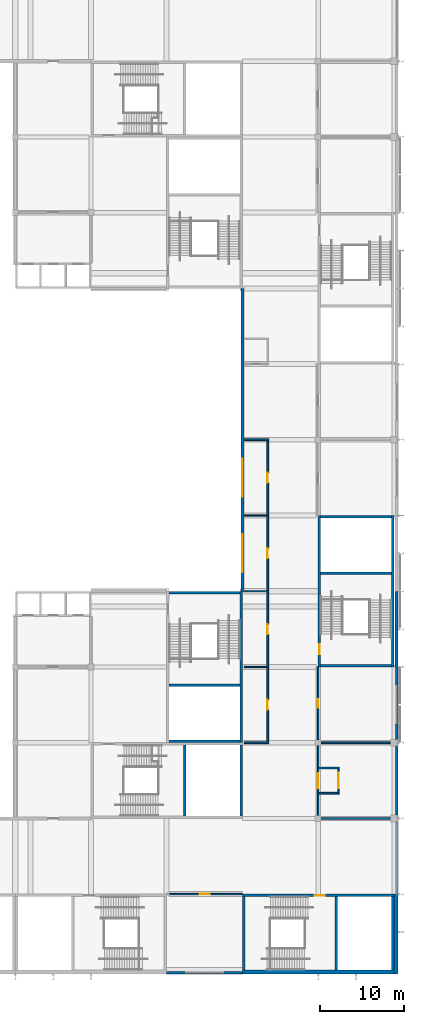
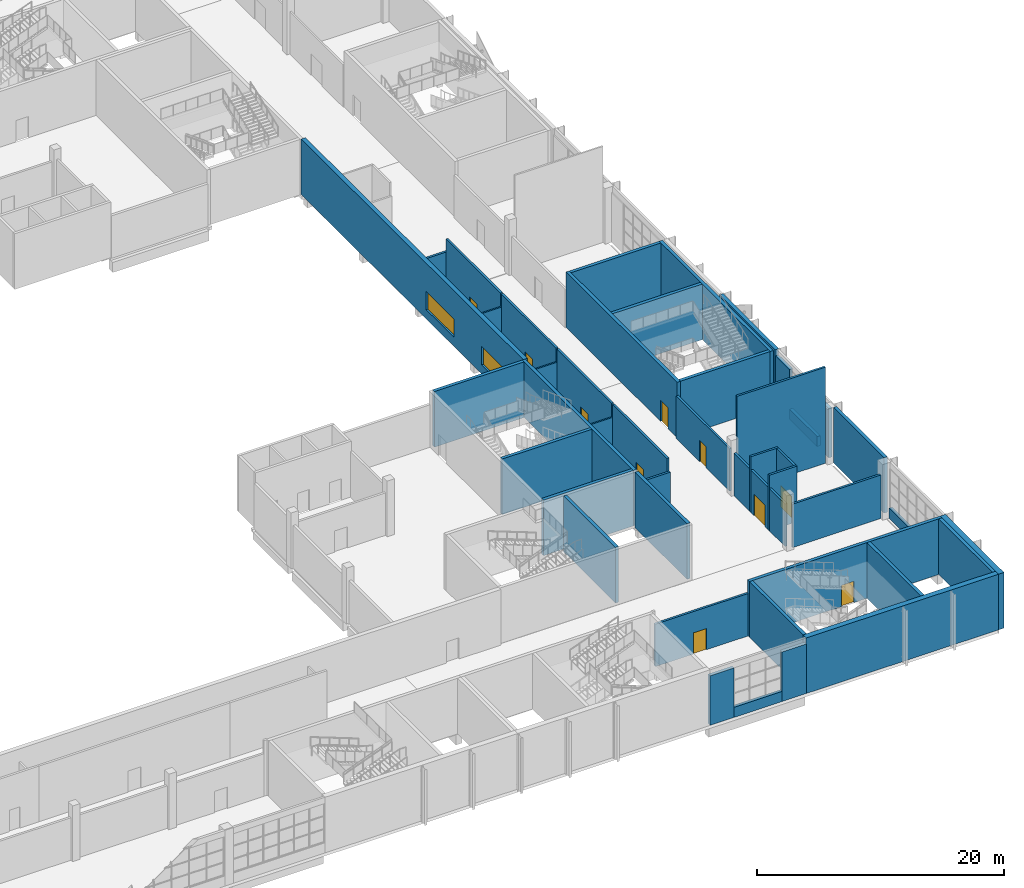
# One storey, part 42 of 84: 46 walls, 10 doors, 2 windows, 12 openings.
"""IFC4 building model written with IfcOpenShell, lengths in metres."""

from ifc_helpers import new_model, si_unit, direction, frame, frame_2d, origin, place, context, subcontext, project, spatial, rectangle, extrude, material, layer, layer_set, type_object, element, fill, save


model = new_model("IFC4")

# Units and contexts
model_context = context("Model", 3, precision=1e-05, world=origin(), true_north=direction((0.0, 1.0)))
body_context = subcontext(model_context, "Body", "Model", "MODEL_VIEW")
ifc_project = project(units=[si_unit("LENGTHUNIT", "METRE"), si_unit("AREAUNIT", "SQUARE_METRE"), si_unit("VOLUMEUNIT", "CUBIC_METRE"), si_unit("PLANEANGLEUNIT", "RADIAN"), si_unit("MASSUNIT", "GRAM", prefix="KILO")], contexts=[model_context])

# Site, building, storey
site_placement = place(None, origin())
site = spatial("IfcSite", under=ifc_project, at=site_placement, CompositionType="ELEMENT")
building_placement = place(site_placement, origin())
building = spatial("IfcBuilding", under=site, at=building_placement, Name="Silverbay Arena", CompositionType="ELEMENT")
storey_placement = place(building_placement, frame((0.0, 0.0, 28.0)))
storey = spatial("IfcBuildingStorey", under=building, at=storey_placement, Name="L04", CompositionType="ELEMENT", Elevation=28.0)

# Walls
ifc_material_1 = material(Name="Anodised aluminium cladding on insulated backing", Category="aluminium")
ifc_layer_1 = layer(ifc_material_1, 0.300048828125)
ifc_layer_set_1 = layer_set([ifc_layer_1], Name="Anodised aluminium cladding on insulated backing")
wall_type_1 = type_object("IfcWallType", Name="Aluminium clad wall 300", PredefinedType="SOLIDWALL", material=ifc_layer_set_1)
for number, where, z_axis, x_axis, name in (
    (1, (180.0, 17.64990234375, 0.0), (0.0, 0.0, 1.0), (1.0, 0.0, 0.0), "South external wall L04 bay 15 pier"),
    (2, (186.75, 17.64990234375, 0.0), (0.0, 0.0, 1.0), (1.0, 0.0, 0.0), "South external wall L04 bay 15 pier"),
):
    element("IfcWall", number, at=place(storey_placement, frame(where, z_axis=z_axis, x_axis=x_axis)), inside=storey, type_object=wall_type_1, Name=name, PredefinedType="SOLIDWALL", context=body_context, shape_type="SweptSolid", body=[
        extrude(rectangle(XDim=2.25, YDim=0.300048828125, at=frame_2d((1.125, 0.0))), origin(), (0.0, 0.0, 1.0), 4.89990234375),
    ])
wall_1_placement = place(storey_placement, frame((182.25, 17.64990234375, 0.0), z_axis=(0.0, 0.0, 1.0), x_axis=(1.0, 0.0, 0.0)))
element("IfcWall", 3, at=wall_1_placement, inside=storey, type_object=wall_type_1, Name="South external wall L04 bay 15 sill wall", PredefinedType="SOLIDWALL", context=body_context, shape_type="SweptSolid", body=[
    extrude(rectangle(XDim=4.5, YDim=0.300048828125, at=frame_2d((2.25, 0.0))), origin(), (0.0, 0.0, 1.0), 1.0),
])
wall_2_placement = place(storey_placement, frame((207.35009765625, 27.0, 0.0), z_axis=(0.0, 0.0, 1.0), x_axis=(0.0, 1.0, 0.0)))
element("IfcWall", 4, at=wall_2_placement, inside=storey, type_object=wall_type_1, Name="East sill wall L04 bay 2", PredefinedType="SOLIDWALL", context=body_context, shape_type="SweptSolid", body=[
    extrude(rectangle(XDim=8.60009765625, YDim=0.300048828125, at=frame_2d((4.300048828125, 0.0))), origin(), (0.0, 0.0, 1.0), 1.0),
])
wall_3_placement = place(storey_placement, frame((207.35009765625, 45.39990234375, 0.0), z_axis=(0.0, 0.0, 1.0), x_axis=(0.0, 1.0, 0.0)))
element("IfcWall", 5, at=wall_3_placement, inside=storey, type_object=wall_type_1, Name="East external wall L04 bay 4 pier", PredefinedType="SOLIDWALL", context=body_context, shape_type="SweptSolid", body=[
    extrude(rectangle(XDim=1.85009765625, YDim=0.300048828125, at=frame_2d((0.925048828125, 0.0))), origin(), (0.0, 0.0, 1.0), 4.89990234375),
])
wall_4_placement = place(storey_placement, frame((207.35009765625, 51.75, 0.0), z_axis=(0.0, 0.0, 1.0), x_axis=(0.0, 1.0, 0.0)))
element("IfcWall", 6, at=wall_4_placement, inside=storey, type_object=wall_type_1, Name="East external wall L04 bay 4 pier", PredefinedType="SOLIDWALL", context=body_context, shape_type="SweptSolid", body=[
    extrude(rectangle(XDim=2.25, YDim=0.300048828125, at=frame_2d((1.125, 0.0))), origin(), (0.0, 0.0, 1.0), 4.89990234375),
])
wall_5_placement = place(storey_placement, frame((207.35009765625, 47.25, 0.0), z_axis=(0.0, 0.0, 1.0), x_axis=(0.0, 1.0, 0.0)))
element("IfcWall", 7, at=wall_5_placement, inside=storey, type_object=wall_type_1, Name="East external wall L04 bay 4 sill wall", PredefinedType="SOLIDWALL", context=body_context, shape_type="SweptSolid", body=[
    extrude(rectangle(XDim=4.5, YDim=0.300048828125, at=frame_2d((2.25, 0.0))), origin(), (0.0, 0.0, 1.0), 1.0),
])
ifc_material_2 = material(Name="Anodised aluminium cladding on insulated backing", Category="aluminium")
ifc_layer_2 = layer(ifc_material_2, 0.300048828125)
ifc_layer_set_2 = layer_set([ifc_layer_2], Name="Anodised aluminium cladding on insulated backing")
wall_type_2 = type_object("IfcWallType", Name="Aluminium clad wall 300 EI 120", PredefinedType="SOLIDWALL", material=ifc_layer_set_2)
wall_6_placement = place(storey_placement, frame((207.35009765625, 36.39990234375, 0.0), z_axis=(0.0, 0.0, 1.0), x_axis=(0.0, 1.0, 0.0)))
element("IfcWall", 8, at=wall_6_placement, inside=storey, type_object=wall_type_2, Name="East external wall L04 bay 3", PredefinedType="SOLIDWALL", context=body_context, shape_type="SweptSolid", body=[
    extrude(rectangle(XDim=8.2001953125, YDim=0.300048828125, at=frame_2d((4.10009765625, 0.0))), origin(), (0.0, 0.0, 1.0), 5.5),
])

# Wall, opening, door
ifc_material_3 = material(Name="Concrete Grade C45", Category="concrete")
ifc_layer_3 = layer(ifc_material_3, 0.300048828125)
ifc_layer_set_3 = layer_set([ifc_layer_3], Name="Concrete Grade C45")
wall_type_3 = type_object("IfcWallType", Name="Core wall RC 300 EI 120", PredefinedType="SHEAR", material=ifc_layer_set_3)
wall_7_placement = place(storey_placement, frame((189.0, 26.85009765625, 0.0), z_axis=(0.0, 0.0, 1.0), x_axis=(1.0, 0.0, 0.0)))
wall_7 = element("IfcWall", 9, at=wall_7_placement, inside=storey, type_object=wall_type_3, Name="Core wall ST-S6 L04 door side", PredefinedType="SHEAR", context=body_context, shape_type="SweptSolid", body=[
    extrude(rectangle(XDim=18.0, YDim=0.300048828125, at=frame_2d((9.0, 0.0))), origin(), (0.0, 0.0, 1.0), 5.5),
])
opening_1_placement = place(wall_7_placement, frame((8.60009765625, 0.0, 0.0)))
opening_1 = element("IfcOpeningElement", 10, at=opening_1_placement, cuts=wall_7, Name="Opening L04-064", PredefinedType="OPENING", context=body_context, shape_type="SweptSolid", body=[
    extrude(rectangle(XDim=1.199951171875, YDim=2.10009765625, at=frame_2d((0.60009765625, 1.050048828125))), frame((0.0, 0.16015625, 0.0), z_axis=(0.0, -1.0, 0.0), x_axis=(1.0, 0.0, 0.0)), (0.0, 0.0, 1.0), 0.320068359375),
])
ifc_material_4 = material(Name="Steel fire door", Category="steel")
door_type_1 = type_object("IfcDoorType", Name="Stair door 1200 x 2100 fire door", OperationType="SINGLE_SWING_LEFT", PredefinedType="DOOR", material=ifc_material_4)
door_1_placement = place(opening_1_placement, frame((1.199951171875, 0.0, 0.0), z_axis=(0.0, 0.0, 1.0), x_axis=(-1.0, 0.0, 0.0)))
door_1 = element("IfcDoor", 11, at=door_1_placement, inside=storey, type_object=door_type_1, Name="Stair door ST-S6 L04", OperationType="SINGLE_SWING_LEFT", OverallHeight=2.10009765625, OverallWidth=1.199951171875, PredefinedType="DOOR", context=body_context, shape_type="SweptSolid", body=[
    extrude(rectangle(XDim=1.199951171875, YDim=2.10009765625, at=frame_2d((0.60009765625, 1.050048828125))), frame((0.0, 0.02490234375, 0.0), z_axis=(0.0, -1.0, 0.0), x_axis=(1.0, 0.0, 0.0)), (0.0, 0.0, 1.0), 0.050048828125),
])
fill(opening_1, door_1)

# Walls
for number, where, z_axis, x_axis, name in (
    (12, (189.14990234375, 26.699951171875, 0.0), (0.0, 0.0, 1.0), (0.0, -1.0, 0.0), "Core wall ST-S6 L04 end 1"),
    (13, (206.85009765625, 26.699951171875, 0.0), (0.0, 0.0, 1.0), (0.0, -1.0, 0.0), "Core wall ST-S6 L04 end 2"),
    (14, (200.14990234375, 26.699951171875, 0.0), (0.0, 0.0, 1.0), (0.0, -1.0, 0.0), "Core wall ST-S6 L04 stair enclosure"),
):
    element("IfcWall", number, at=place(storey_placement, frame(where, z_axis=z_axis, x_axis=x_axis)), inside=storey, type_object=wall_type_3, Name=name, PredefinedType="SHEAR", context=body_context, shape_type="SweptSolid", body=[
        extrude(rectangle(XDim=8.699951171875, YDim=0.300048828125, at=frame_2d((4.35009765625, 0.0))), origin(), (0.0, 0.0, 1.0), 5.5),
    ])

# Wall, opening, door
wall_8_placement = place(storey_placement, frame((198.14990234375, 54.0, 0.0), z_axis=(0.0, 0.0, 1.0), x_axis=(0.0, 1.0, 0.0)))
wall_8 = element("IfcWall", 15, at=wall_8_placement, inside=storey, type_object=wall_type_3, Name="Core wall ST-E1 L04 door side", PredefinedType="SHEAR", context=body_context, shape_type="SweptSolid", body=[
    extrude(rectangle(XDim=18.0, YDim=0.300048828125, at=frame_2d((9.0, 0.0))), origin(), (0.0, 0.0, 1.0), 5.5),
])
opening_2_placement = place(wall_8_placement, frame((1.5, 0.0, 0.0)))
opening_2 = element("IfcOpeningElement", 16, at=opening_2_placement, cuts=wall_8, Name="Opening L04-069", PredefinedType="OPENING", context=body_context, shape_type="SweptSolid", body=[
    extrude(rectangle(XDim=1.199951171875, YDim=2.10009765625, at=frame_2d((0.60009765625, 1.050048828125))), frame((0.0, 0.16015625, 0.0), z_axis=(0.0, -1.0, 0.0), x_axis=(1.0, 0.0, 0.0)), (0.0, 0.0, 1.0), 0.320068359375),
])
door_2_placement = place(opening_2_placement, frame((1.199951171875, 0.0, 0.0), z_axis=(0.0, 0.0, 1.0), x_axis=(-1.0, 0.0, 0.0)))
door_2 = element("IfcDoor", 17, at=door_2_placement, inside=storey, type_object=door_type_1, Name="Stair door ST-E1 L04", OperationType="SINGLE_SWING_RIGHT", OverallHeight=2.10009765625, OverallWidth=1.199951171875, PredefinedType="DOOR", context=body_context, shape_type="SweptSolid", body=[
    extrude(rectangle(XDim=1.199951171875, YDim=2.10009765625, at=frame_2d((0.60009765625, 1.050048828125))), frame((0.0, 0.02490234375, 0.0), z_axis=(0.0, -1.0, 0.0), x_axis=(1.0, 0.0, 0.0)), (0.0, 0.0, 1.0), 0.050048828125),
])
fill(opening_2, door_2)

# Walls
wall_9_placement = place(storey_placement, frame((206.85009765625, 54.0, 0.0), z_axis=(0.0, 0.0, 1.0), x_axis=(0.0, 1.0, 0.0)))
element("IfcWall", 18, at=wall_9_placement, inside=storey, type_object=wall_type_3, Name="Core wall ST-E1 L04 far side", PredefinedType="SHEAR", context=body_context, shape_type="SweptSolid", body=[
    extrude(rectangle(XDim=18.0, YDim=0.300048828125, at=frame_2d((9.0, 0.0))), origin(), (0.0, 0.0, 1.0), 5.5),
])
for number, where, z_axis, x_axis, name in (
    (19, (198.300048828125, 54.14990234375, 0.0), (0.0, 0.0, 1.0), (1.0, 0.0, 0.0), "Core wall ST-E1 L04 end 1"),
    (20, (198.300048828125, 71.85009765625, 0.0), (0.0, 0.0, 1.0), (1.0, 0.0, 0.0), "Core wall ST-E1 L04 end 2"),
    (21, (198.300048828125, 65.14990234375, 0.0), (0.0, 0.0, 1.0), (1.0, 0.0, 0.0), "Core wall ST-E1 L04 stair enclosure"),
    (22, (188.85009765625, 44.699951171875, 0.0), (0.0, 0.0, 1.0), (0.0, -1.0, 0.0), "Core wall ST-SE1 L04 end 2"),
    (23, (182.14990234375, 44.699951171875, 0.0), (0.0, 0.0, 1.0), (0.0, -1.0, 0.0), "Core wall ST-SE1 L04 stair enclosure"),
):
    element("IfcWall", number, at=place(storey_placement, frame(where, z_axis=z_axis, x_axis=x_axis)), inside=storey, type_object=wall_type_3, Name=name, PredefinedType="SHEAR", context=body_context, shape_type="SweptSolid", body=[
        extrude(rectangle(XDim=8.39990234375, YDim=0.300048828125, at=frame_2d((4.199951171875, 0.0))), origin(), (0.0, 0.0, 1.0), 5.5),
    ])
wall_10_placement = place(storey_placement, frame((188.85009765625, 63.0, 0.0), z_axis=(0.0, 0.0, 1.0), x_axis=(0.0, -1.0, 0.0)))
element("IfcWall", 24, at=wall_10_placement, inside=storey, type_object=wall_type_3, Name="Core wall ST-SE2 L04 far side", PredefinedType="SHEAR", context=body_context, shape_type="SweptSolid", body=[
    extrude(rectangle(XDim=18.0, YDim=0.300048828125, at=frame_2d((9.0, 0.0))), origin(), (0.0, 0.0, 1.0), 5.5),
])
for number, where, z_axis, x_axis, name in (
    (25, (180.300048828125, 62.85009765625, 0.0), (0.0, 0.0, 1.0), (1.0, 0.0, 0.0), "Core wall ST-SE2 L04 end 1"),
    (26, (180.300048828125, 45.14990234375, 0.0), (0.0, 0.0, 1.0), (1.0, 0.0, 0.0), "Core wall ST-SE2 L04 end 2"),
    (27, (180.300048828125, 51.85009765625, 0.0), (0.0, 0.0, 1.0), (1.0, 0.0, 0.0), "Core wall ST-SE2 L04 stair enclosure"),
):
    element("IfcWall", number, at=place(storey_placement, frame(where, z_axis=z_axis, x_axis=x_axis)), inside=storey, type_object=wall_type_3, Name=name, PredefinedType="SHEAR", context=body_context, shape_type="SweptSolid", body=[
        extrude(rectangle(XDim=8.39990234375, YDim=0.300048828125, at=frame_2d((4.199951171875, 0.0))), origin(), (0.0, 0.0, 1.0), 5.5),
    ])
ifc_material_5 = material(Name="Concrete Grade C45", Category="concrete")
ifc_layer_4 = layer(ifc_material_5, 0.5)
ifc_layer_set_4 = layer_set([ifc_layer_4], Name="Concrete Grade C45")
wall_type_4 = type_object("IfcWallType", Name="Core wall RC 500 external EI 120", PredefinedType="SHEAR", material=ifc_layer_set_4)
wall_11_placement = place(storey_placement, frame((189.0, 17.75, 0.0), z_axis=(0.0, 0.0, 1.0), x_axis=(1.0, 0.0, 0.0)))
element("IfcWall", 28, at=wall_11_placement, inside=storey, type_object=wall_type_4, Name="Core wall ST-S6 L04 facade side", PredefinedType="SHEAR", context=body_context, shape_type="SweptSolid", body=[
    extrude(rectangle(XDim=18.0, YDim=0.5, at=frame_2d((9.0, 0.0))), origin(), (0.0, 0.0, 1.0), 5.5),
])
ifc_material_6 = material(Name="Gypsum board partition on steel studs", Category="steel")
ifc_layer_5 = layer(ifc_material_6, 0.14990234375)
ifc_layer_set_5 = layer_set([ifc_layer_5], Name="Gypsum board partition on steel studs")
wall_type_5 = type_object("IfcWallType", Name="Partition 150 EI 60", PredefinedType="PARTITIONING", material=ifc_layer_set_5)
for number, where, z_axis, x_axis, name in (
    (29, (189.199951171875, 54.0, 0.0), (0.0, 0.0, 1.0), (1.0, 0.0, 0.0), "Partition wall"),
    (30, (189.199951171875, 63.0, 0.0), (0.0, 0.0, 1.0), (1.0, 0.0, 0.0), "Partition wall"),
    (31, (189.199951171875, 72.0, 0.0), (0.0, 0.0, 1.0), (1.0, 0.0, 0.0), "Partition wall"),
):
    element("IfcWall", number, at=place(storey_placement, frame(where, z_axis=z_axis, x_axis=x_axis)), inside=storey, type_object=wall_type_5, Name=name, PredefinedType="PARTITIONING", context=body_context, shape_type="SweptSolid", body=[
        extrude(rectangle(XDim=2.900146484375, YDim=0.14990234375, at=frame_2d((1.4501953125, 0.0))), origin(), (0.0, 0.0, 1.0), 4.199951171875),
    ])

# Wall, opening, door
ifc_material_7 = material(Name="Masonry blockwork partition", Category="masonry")
ifc_layer_6 = layer(ifc_material_7, 0.199951171875)
ifc_layer_set_6 = layer_set([ifc_layer_6], Name="Masonry blockwork partition")
wall_type_6 = type_object("IfcWallType", Name="Partition 200 EI 120", PredefinedType="PARTITIONING", material=ifc_layer_set_6)
wall_12_placement = place(storey_placement, frame((180.300048828125, 27.0, 0.0), z_axis=(0.0, 0.0, 1.0), x_axis=(1.0, 0.0, 0.0)))
wall_12 = element("IfcWall", 32, at=wall_12_placement, inside=storey, type_object=wall_type_6, Name="Partition wall", PredefinedType="PARTITIONING", context=body_context, shape_type="SweptSolid", body=[
    extrude(rectangle(XDim=8.699951171875, YDim=0.199951171875, at=frame_2d((4.35009765625, 0.0))), origin(), (0.0, 0.0, 1.0), 4.199951171875),
])
opening_3_placement = place(wall_12_placement, frame((3.60009765625, 0.0, 0.0)))
opening_3 = element("IfcOpeningElement", 33, at=opening_3_placement, cuts=wall_12, Name="Opening L04-003", PredefinedType="OPENING", context=body_context, shape_type="SweptSolid", body=[
    extrude(rectangle(XDim=1.199951171875, YDim=2.10009765625, at=frame_2d((0.60009765625, 1.050048828125))), frame((0.0, 0.10986328125, 0.0), z_axis=(0.0, -1.0, 0.0), x_axis=(1.0, 0.0, 0.0)), (0.0, 0.0, 1.0), 0.219970703125),
])
ifc_material_8 = material(Name="Steel faced timber", Category="steel")
door_type_2 = type_object("IfcDoorType", Name="Single leaf door 1200 x 2100 FD120", OperationType="SINGLE_SWING_LEFT", PredefinedType="DOOR", material=ifc_material_8)
door_3_placement = place(opening_3_placement, frame((1.199951171875, 0.0, 0.0), z_axis=(0.0, 0.0, 1.0), x_axis=(-1.0, 0.0, 0.0)))
door_3 = element("IfcDoor", 34, at=door_3_placement, inside=storey, type_object=door_type_2, Name="Door L04-003", OperationType="SINGLE_SWING_RIGHT", OverallHeight=2.10009765625, OverallWidth=1.199951171875, PredefinedType="DOOR", context=body_context, shape_type="SweptSolid", body=[
    extrude(rectangle(XDim=1.199951171875, YDim=2.10009765625, at=frame_2d((0.60009765625, 1.050048828125))), frame((0.0, 0.02490234375, 0.0), z_axis=(0.0, -1.0, 0.0), x_axis=(1.0, 0.0, 0.0)), (0.0, 0.0, 1.0), 0.050048828125),
])
fill(opening_3, door_3)

# Walls
wall_13_placement = place(storey_placement, frame((198.35009765625, 36.0, 0.0), z_axis=(0.0, 0.0, 1.0), x_axis=(1.0, 0.0, 0.0)))
element("IfcWall", 35, at=wall_13_placement, inside=storey, type_object=wall_type_6, Name="Partition wall", PredefinedType="PARTITIONING", context=body_context, shape_type="SweptSolid", body=[
    extrude(rectangle(XDim=8.25, YDim=0.199951171875, at=frame_2d((4.125, 0.0))), origin(), (0.0, 0.0, 1.0), 4.300048828125),
])
for number, where, z_axis, x_axis, name in (
    (36, (197.89990234375, 39.0, 0.0), (0.0, 0.0, 1.0), (1.0, 0.0, 0.0), "Partition wall"),
    (37, (197.89990234375, 42.0, 0.0), (0.0, 0.0, 1.0), (1.0, 0.0, 0.0), "Partition wall"),
):
    element("IfcWall", number, at=place(storey_placement, frame(where, z_axis=z_axis, x_axis=x_axis)), inside=storey, type_object=wall_type_6, Name=name, PredefinedType="PARTITIONING", context=body_context, shape_type="SweptSolid", body=[
        extrude(rectangle(XDim=2.60009765625, YDim=0.199951171875, at=frame_2d((1.300048828125, 0.0))), origin(), (0.0, 0.0, 1.0), 5.5),
    ])
wall_14_placement = place(storey_placement, frame((189.199951171875, 45.0, 0.0), z_axis=(0.0, 0.0, 1.0), x_axis=(1.0, 0.0, 0.0)))
element("IfcWall", 38, at=wall_14_placement, inside=storey, type_object=wall_type_6, Name="Partition wall", PredefinedType="PARTITIONING", context=body_context, shape_type="SweptSolid", body=[
    extrude(rectangle(XDim=2.900146484375, YDim=0.199951171875, at=frame_2d((1.4501953125, 0.0))), origin(), (0.0, 0.0, 1.0), 4.199951171875),
])
wall_15_placement = place(storey_placement, frame((198.35009765625, 45.0, 0.0), z_axis=(0.0, 0.0, 1.0), x_axis=(1.0, 0.0, 0.0)))
element("IfcWall", 39, at=wall_15_placement, inside=storey, type_object=wall_type_6, Name="Partition wall", PredefinedType="PARTITIONING", context=body_context, shape_type="SweptSolid", body=[
    extrude(rectangle(XDim=8.25, YDim=0.199951171875, at=frame_2d((4.125, 0.0))), origin(), (0.0, 0.0, 1.0), 9.5),
])
wall_16_placement = place(storey_placement, frame((189.199951171875, 81.0, 0.0), z_axis=(0.0, 0.0, 1.0), x_axis=(1.0, 0.0, 0.0)))
element("IfcWall", 40, at=wall_16_placement, inside=storey, type_object=wall_type_6, Name="Partition wall", PredefinedType="PARTITIONING", context=body_context, shape_type="SweptSolid", body=[
    extrude(rectangle(XDim=2.900146484375, YDim=0.199951171875, at=frame_2d((1.4501953125, 0.0))), origin(), (0.0, 0.0, 1.0), 4.199951171875),
])

# Wall, opening, door
wall_17_placement = place(storey_placement, frame((192.0, 45.10009765625, 0.0), z_axis=(0.0, 0.0, 1.0), x_axis=(0.0, 1.0, 0.0)))
wall_17 = element("IfcWall", 41, at=wall_17_placement, inside=storey, type_object=wall_type_6, Name="Partition wall", PredefinedType="PARTITIONING", context=body_context, shape_type="SweptSolid", body=[
    extrude(rectangle(XDim=8.824951171875, YDim=0.199951171875, at=frame_2d((4.41259765625, 0.0))), origin(), (0.0, 0.0, 1.0), 5.5),
])
opening_4_placement = place(wall_17_placement, frame((3.81201171875, 0.0, 0.0)))
opening_4 = element("IfcOpeningElement", 42, at=opening_4_placement, cuts=wall_17, Name="Opening L04-046", PredefinedType="OPENING", context=body_context, shape_type="SweptSolid", body=[
    extrude(rectangle(XDim=1.199951171875, YDim=2.10009765625, at=frame_2d((0.60009765625, 1.050048828125))), frame((0.0, 0.10986328125, 0.0), z_axis=(0.0, -1.0, 0.0), x_axis=(1.0, 0.0, 0.0)), (0.0, 0.0, 1.0), 0.219970703125),
])
door_4_placement = place(opening_4_placement, origin())
door_4 = element("IfcDoor", 43, at=door_4_placement, inside=storey, type_object=door_type_2, Name="Door L04-046", OperationType="SINGLE_SWING_RIGHT", OverallHeight=2.10009765625, OverallWidth=1.199951171875, PredefinedType="DOOR", context=body_context, shape_type="SweptSolid", body=[
    extrude(rectangle(XDim=1.199951171875, YDim=2.10009765625, at=frame_2d((0.60009765625, 1.050048828125))), frame((0.0, 0.02490234375, 0.0), z_axis=(0.0, -1.0, 0.0), x_axis=(1.0, 0.0, 0.0)), (0.0, 0.0, 1.0), 0.050048828125),
])
fill(opening_4, door_4)

wall_18_placement = place(storey_placement, frame((192.0, 54.074951171875, 0.0), z_axis=(0.0, 0.0, 1.0), x_axis=(0.0, 1.0, 0.0)))
wall_18 = element("IfcWall", 44, at=wall_18_placement, inside=storey, type_object=wall_type_6, Name="Partition wall", PredefinedType="PARTITIONING", context=body_context, shape_type="SweptSolid", body=[
    extrude(rectangle(XDim=8.85009765625, YDim=0.199951171875, at=frame_2d((4.425048828125, 0.0))), origin(), (0.0, 0.0, 1.0), 5.5),
])
opening_5_placement = place(wall_18_placement, frame((3.824951171875, 0.0, 0.0)))
opening_5 = element("IfcOpeningElement", 45, at=opening_5_placement, cuts=wall_18, Name="Opening L04-047", PredefinedType="OPENING", context=body_context, shape_type="SweptSolid", body=[
    extrude(rectangle(XDim=1.199951171875, YDim=2.10009765625, at=frame_2d((0.60009765625, 1.050048828125))), frame((0.0, 0.10986328125, 0.0), z_axis=(0.0, -1.0, 0.0), x_axis=(1.0, 0.0, 0.0)), (0.0, 0.0, 1.0), 0.219970703125),
])
door_5_placement = place(opening_5_placement, origin())
door_5 = element("IfcDoor", 46, at=door_5_placement, inside=storey, type_object=door_type_2, Name="Door L04-047", OperationType="SINGLE_SWING_LEFT", OverallHeight=2.10009765625, OverallWidth=1.199951171875, PredefinedType="DOOR", context=body_context, shape_type="SweptSolid", body=[
    extrude(rectangle(XDim=1.199951171875, YDim=2.10009765625, at=frame_2d((0.60009765625, 1.050048828125))), frame((0.0, 0.02490234375, 0.0), z_axis=(0.0, -1.0, 0.0), x_axis=(1.0, 0.0, 0.0)), (0.0, 0.0, 1.0), 0.050048828125),
])
fill(opening_5, door_5)

wall_19_placement = place(storey_placement, frame((192.0, 63.074951171875, 0.0), z_axis=(0.0, 0.0, 1.0), x_axis=(0.0, 1.0, 0.0)))
wall_19 = element("IfcWall", 47, at=wall_19_placement, inside=storey, type_object=wall_type_6, Name="Partition wall", PredefinedType="PARTITIONING", context=body_context, shape_type="SweptSolid", body=[
    extrude(rectangle(XDim=8.85009765625, YDim=0.199951171875, at=frame_2d((4.425048828125, 0.0))), origin(), (0.0, 0.0, 1.0), 5.5),
])
opening_6_placement = place(wall_19_placement, frame((3.824951171875, 0.0, 0.0)))
opening_6 = element("IfcOpeningElement", 48, at=opening_6_placement, cuts=wall_19, Name="Opening L04-048", PredefinedType="OPENING", context=body_context, shape_type="SweptSolid", body=[
    extrude(rectangle(XDim=1.199951171875, YDim=2.10009765625, at=frame_2d((0.60009765625, 1.050048828125))), frame((0.0, 0.10986328125, 0.0), z_axis=(0.0, -1.0, 0.0), x_axis=(1.0, 0.0, 0.0)), (0.0, 0.0, 1.0), 0.219970703125),
])
door_6_placement = place(opening_6_placement, origin())
door_6 = element("IfcDoor", 49, at=door_6_placement, inside=storey, type_object=door_type_2, Name="Door L04-048", OperationType="SINGLE_SWING_RIGHT", OverallHeight=2.10009765625, OverallWidth=1.199951171875, PredefinedType="DOOR", context=body_context, shape_type="SweptSolid", body=[
    extrude(rectangle(XDim=1.199951171875, YDim=2.10009765625, at=frame_2d((0.60009765625, 1.050048828125))), frame((0.0, 0.02490234375, 0.0), z_axis=(0.0, -1.0, 0.0), x_axis=(1.0, 0.0, 0.0)), (0.0, 0.0, 1.0), 0.050048828125),
])
fill(opening_6, door_6)

wall_20_placement = place(storey_placement, frame((192.0, 72.074951171875, 0.0), z_axis=(0.0, 0.0, 1.0), x_axis=(0.0, 1.0, 0.0)))
wall_20 = element("IfcWall", 50, at=wall_20_placement, inside=storey, type_object=wall_type_6, Name="Partition wall", PredefinedType="PARTITIONING", context=body_context, shape_type="SweptSolid", body=[
    extrude(rectangle(XDim=8.824951171875, YDim=0.199951171875, at=frame_2d((4.41259765625, 0.0))), origin(), (0.0, 0.0, 1.0), 5.5),
])
opening_7_placement = place(wall_20_placement, frame((3.81298828125, 0.0, 0.0)))
opening_7 = element("IfcOpeningElement", 51, at=opening_7_placement, cuts=wall_20, Name="Opening L04-049", PredefinedType="OPENING", context=body_context, shape_type="SweptSolid", body=[
    extrude(rectangle(XDim=1.199951171875, YDim=2.10009765625, at=frame_2d((0.60009765625, 1.050048828125))), frame((0.0, 0.10986328125, 0.0), z_axis=(0.0, -1.0, 0.0), x_axis=(1.0, 0.0, 0.0)), (0.0, 0.0, 1.0), 0.219970703125),
])
door_7_placement = place(opening_7_placement, origin())
door_7 = element("IfcDoor", 52, at=door_7_placement, inside=storey, type_object=door_type_2, Name="Door L04-049", OperationType="SINGLE_SWING_LEFT", OverallHeight=2.10009765625, OverallWidth=1.199951171875, PredefinedType="DOOR", context=body_context, shape_type="SweptSolid", body=[
    extrude(rectangle(XDim=1.199951171875, YDim=2.10009765625, at=frame_2d((0.60009765625, 1.050048828125))), frame((0.0, 0.02490234375, 0.0), z_axis=(0.0, -1.0, 0.0), x_axis=(1.0, 0.0, 0.0)), (0.0, 0.0, 1.0), 0.050048828125),
])
fill(opening_7, door_7)

# Wall
wall_21_placement = place(storey_placement, frame((198.0, 36.35009765625, 0.0), z_axis=(0.0, 0.0, 1.0), x_axis=(0.0, 1.0, 0.0)))
element("IfcWall", 53, at=wall_21_placement, inside=storey, type_object=wall_type_6, Name="Partition wall", PredefinedType="PARTITIONING", context=body_context, shape_type="SweptSolid", body=[
    extrude(rectangle(XDim=2.5498046875, YDim=0.199951171875, at=frame_2d((1.27490234375, 0.0))), origin(), (0.0, 0.0, 1.0), 4.199951171875),
])

# Wall, opening, door
wall_22_placement = place(storey_placement, frame((198.0, 39.10009765625, 0.0), z_axis=(0.0, 0.0, 1.0), x_axis=(0.0, 1.0, 0.0)))
wall_22 = element("IfcWall", 54, at=wall_22_placement, inside=storey, type_object=wall_type_6, Name="Partition wall", PredefinedType="PARTITIONING", context=body_context, shape_type="SweptSolid", body=[
    extrude(rectangle(XDim=2.7998046875, YDim=0.199951171875, at=frame_2d((1.39990234375, 0.0))), origin(), (0.0, 0.0, 1.0), 4.199951171875),
])
opening_8_placement = place(wall_22_placement, frame((0.5, 0.0, 0.0)))
opening_8 = element("IfcOpeningElement", 55, at=opening_8_placement, cuts=wall_22, Name="Opening L04-051", PredefinedType="OPENING", context=body_context, shape_type="SweptSolid", body=[
    extrude(rectangle(XDim=1.800048828125, YDim=2.10009765625, at=frame_2d((0.89990234375, 1.050048828125))), frame((0.0, 0.10986328125, 0.0), z_axis=(0.0, -1.0, 0.0), x_axis=(1.0, 0.0, 0.0)), (0.0, 0.0, 1.0), 0.219970703125),
])
ifc_material_9 = material(Name="Steel faced timber", Category="steel")
door_type_3 = type_object("IfcDoorType", Name="Double leaf door 1800 x 2100 FD120", OperationType="DOUBLE_DOOR_DOUBLE_SWING", PredefinedType="DOOR", material=ifc_material_9)
door_8_placement = place(opening_8_placement, origin())
door_8 = element("IfcDoor", 56, at=door_8_placement, inside=storey, type_object=door_type_3, Name="Door L04-051", OperationType="DOUBLE_DOOR_DOUBLE_SWING", OverallHeight=2.10009765625, OverallWidth=1.800048828125, PredefinedType="DOOR", context=body_context, shape_type="SweptSolid", body=[
    extrude(rectangle(XDim=1.800048828125, YDim=2.10009765625, at=frame_2d((0.89990234375, 1.050048828125))), frame((0.0, 0.02490234375, 0.0), z_axis=(0.0, -1.0, 0.0), x_axis=(1.0, 0.0, 0.0)), (0.0, 0.0, 1.0), 0.050048828125),
])
fill(opening_8, door_8)

# Wall
wall_23_placement = place(storey_placement, frame((198.0, 42.10009765625, 0.0), z_axis=(0.0, 0.0, 1.0), x_axis=(0.0, 1.0, 0.0)))
element("IfcWall", 57, at=wall_23_placement, inside=storey, type_object=wall_type_6, Name="Partition wall", PredefinedType="PARTITIONING", context=body_context, shape_type="SweptSolid", body=[
    extrude(rectangle(XDim=2.5498046875, YDim=0.199951171875, at=frame_2d((1.27490234375, 0.0))), origin(), (0.0, 0.0, 1.0), 4.199951171875),
])

# Wall, opening, door
wall_24_placement = place(storey_placement, frame((198.0, 45.35009765625, 0.0), z_axis=(0.0, 0.0, 1.0), x_axis=(0.0, 1.0, 0.0)))
wall_24 = element("IfcWall", 58, at=wall_24_placement, inside=storey, type_object=wall_type_6, Name="Partition wall", PredefinedType="PARTITIONING", context=body_context, shape_type="SweptSolid", body=[
    extrude(rectangle(XDim=8.64990234375, YDim=0.199951171875, at=frame_2d((4.324951171875, 0.0))), origin(), (0.0, 0.0, 1.0), 4.199951171875),
])
opening_9_placement = place(wall_24_placement, frame((3.824951171875, 0.0, 0.0)))
opening_9 = element("IfcOpeningElement", 59, at=opening_9_placement, cuts=wall_24, Name="Opening L04-014", PredefinedType="OPENING", context=body_context, shape_type="SweptSolid", body=[
    extrude(rectangle(XDim=1.0, YDim=2.10009765625, at=frame_2d((0.5, 1.050048828125))), frame((0.0, 0.10986328125, 0.0), z_axis=(0.0, -1.0, 0.0), x_axis=(1.0, 0.0, 0.0)), (0.0, 0.0, 1.0), 0.219970703125),
])
ifc_material_10 = material(Name="Steel faced timber", Category="steel")
door_type_4 = type_object("IfcDoorType", Name="Single leaf door 1000 x 2100 FD120", OperationType="SINGLE_SWING_LEFT", PredefinedType="DOOR", material=ifc_material_10)
door_9_placement = place(opening_9_placement, frame((1.0, 0.0, 0.0), z_axis=(0.0, 0.0, 1.0), x_axis=(-1.0, 0.0, 0.0)))
door_9 = element("IfcDoor", 60, at=door_9_placement, inside=storey, type_object=door_type_4, Name="Door L04-014", OperationType="SINGLE_SWING_LEFT", OverallHeight=2.10009765625, OverallWidth=1.0, PredefinedType="DOOR", context=body_context, shape_type="SweptSolid", body=[
    extrude(rectangle(XDim=1.0, YDim=2.10009765625, at=frame_2d((0.5, 1.050048828125))), frame((0.0, 0.02490234375, 0.0), z_axis=(0.0, -1.0, 0.0), x_axis=(1.0, 0.0, 0.0)), (0.0, 0.0, 1.0), 0.050048828125),
])
fill(opening_9, door_9)

wall_25_placement = place(storey_placement, frame((200.39990234375, 39.10009765625, 0.0), z_axis=(0.0, 0.0, 1.0), x_axis=(0.0, 1.0, 0.0)))
wall_25 = element("IfcWall", 61, at=wall_25_placement, inside=storey, type_object=wall_type_6, Name="Partition wall", PredefinedType="PARTITIONING", context=body_context, shape_type="SweptSolid", body=[
    extrude(rectangle(XDim=2.7998046875, YDim=0.199951171875, at=frame_2d((1.39990234375, 0.0))), origin(), (0.0, 0.0, 1.0), 5.5),
])
opening_10_placement = place(wall_25_placement, frame((0.5, 0.0, 0.0)))
opening_10 = element("IfcOpeningElement", 62, at=opening_10_placement, cuts=wall_25, Name="Opening L04-013", PredefinedType="OPENING", context=body_context, shape_type="SweptSolid", body=[
    extrude(rectangle(XDim=1.800048828125, YDim=2.10009765625, at=frame_2d((0.89990234375, 1.050048828125))), frame((0.0, 0.10986328125, 0.0), z_axis=(0.0, -1.0, 0.0), x_axis=(1.0, 0.0, 0.0)), (0.0, 0.0, 1.0), 0.219970703125),
])
door_10_placement = place(opening_10_placement, frame((1.800048828125, 0.0, 0.0), z_axis=(0.0, 0.0, 1.0), x_axis=(-1.0, 0.0, 0.0)))
door_10 = element("IfcDoor", 63, at=door_10_placement, inside=storey, type_object=door_type_3, Name="Door L04-013", OperationType="DOUBLE_DOOR_DOUBLE_SWING", OverallHeight=2.10009765625, OverallWidth=1.800048828125, PredefinedType="DOOR", context=body_context, shape_type="SweptSolid", body=[
    extrude(rectangle(XDim=1.800048828125, YDim=2.10009765625, at=frame_2d((0.89990234375, 1.050048828125))), frame((0.0, 0.02490234375, 0.0), z_axis=(0.0, -1.0, 0.0), x_axis=(1.0, 0.0, 0.0)), (0.0, 0.0, 1.0), 0.050048828125),
])
fill(opening_10, door_10)

# Wall, openings, windows
ifc_material_11 = material(Name="Concrete Grade C45", Category="concrete")
ifc_layer_7 = layer(ifc_material_11, 0.39990234375)
ifc_layer_set_7 = layer_set([ifc_layer_7], Name="Concrete Grade C45")
wall_type_7 = type_object("IfcWallType", Name="RC back wall 400 EI 120", PredefinedType="SOLIDWALL", material=ifc_layer_set_7)
wall_26_placement = place(storey_placement, frame((189.0, 63.0, 0.0), z_axis=(0.0, 0.0, 1.0), x_axis=(0.0, 1.0, 0.0)))
wall_26 = element("IfcWall", 64, at=wall_26_placement, inside=storey, type_object=wall_type_7, Name="Bowl back wall L04 02", PredefinedType="SOLIDWALL", context=body_context, shape_type="SweptSolid", body=[
    extrude(rectangle(XDim=36.0, YDim=0.39990234375, at=frame_2d((18.0, 0.0))), origin(), (0.0, 0.0, 1.0), 5.5),
])
opening_11_placement = place(wall_26_placement, frame((2.25, 0.0, 0.89990234375)))
opening_11 = element("IfcOpeningElement", 65, at=opening_11_placement, cuts=wall_26, Name="Opening WN3", PredefinedType="OPENING", context=body_context, shape_type="SweptSolid", body=[
    extrude(rectangle(XDim=4.5, YDim=1.800048828125, at=frame_2d((2.25, 0.89990234375))), frame((0.0, 0.2099609375, 0.0), z_axis=(0.0, -1.0, 0.0), x_axis=(1.0, 0.0, 0.0)), (0.0, 0.0, 1.0), 0.419921875),
])
opening_12_placement = place(wall_26_placement, frame((11.237548828125, 0.0, 0.89990234375)))
opening_12 = element("IfcOpeningElement", 66, at=opening_12_placement, cuts=wall_26, Name="Opening WN3", PredefinedType="OPENING", context=body_context, shape_type="SweptSolid", body=[
    extrude(rectangle(XDim=4.5, YDim=1.800048828125, at=frame_2d((2.25, 0.89990234375))), frame((0.0, 0.2099609375, 0.0), z_axis=(0.0, -1.0, 0.0), x_axis=(1.0, 0.0, 0.0)), (0.0, 0.0, 1.0), 0.419921875),
])
ifc_material_12 = material(Name="Fire-resisting glass", Category="glass")
window_type = type_object("IfcWindowType", Name="Fire-resisting window EI 120 4500 x 1800", PartitioningType="SINGLE_PANEL", PredefinedType="WINDOW", material=ifc_material_12)
window_1_placement = place(opening_11_placement, origin())
window_1 = element("IfcWindow", 67, at=window_1_placement, inside=storey, type_object=window_type, Name="Media viewing window Sky Suite 11", OverallHeight=1.800048828125, OverallWidth=4.5, PartitioningType="SINGLE_PANEL", PredefinedType="WINDOW", context=body_context, shape_type="SweptSolid", body=[
    extrude(rectangle(XDim=4.5, YDim=1.800048828125, at=frame_2d((2.25, 0.89990234375))), frame((0.0, 0.030029296875, 0.0), z_axis=(0.0, -1.0, 0.0), x_axis=(1.0, 0.0, 0.0)), (0.0, 0.0, 1.0), 0.06005859375),
])
fill(opening_11, window_1)
window_2_placement = place(opening_12_placement, origin())
window_2 = element("IfcWindow", 68, at=window_2_placement, inside=storey, type_object=window_type, Name="Media viewing window Sky Suite 12", OverallHeight=1.800048828125, OverallWidth=4.5, PartitioningType="SINGLE_PANEL", PredefinedType="WINDOW", context=body_context, shape_type="SweptSolid", body=[
    extrude(rectangle(XDim=4.5, YDim=1.800048828125, at=frame_2d((2.25, 0.89990234375))), frame((0.0, 0.030029296875, 0.0), z_axis=(0.0, -1.0, 0.0), x_axis=(1.0, 0.0, 0.0)), (0.0, 0.0, 1.0), 0.06005859375),
])
fill(opening_12, window_2)

# Walls
ifc_material_13 = material(Name="Concrete Grade C45", Category="concrete")
ifc_layer_8 = layer(ifc_material_13, 0.35009765625)
ifc_layer_set_8 = layer_set([ifc_layer_8], Name="Concrete Grade C45")
wall_type_8 = type_object("IfcWallType", Name="Stair core facade wall 350", PredefinedType="SOLIDWALL", material=ifc_layer_set_8)
wall_27_placement = place(storey_placement, frame((207.324951171875, 54.0, 0.0), z_axis=(0.0, 0.0, 1.0), x_axis=(0.0, 1.0, 0.0)))
element("IfcWall", 69, at=wall_27_placement, inside=storey, type_object=wall_type_8, Name="East external wall L04 bay 5", PredefinedType="SOLIDWALL", context=body_context, shape_type="SweptSolid", body=[
    extrude(rectangle(XDim=9.0, YDim=0.35009765625, at=frame_2d((4.5, 0.0))), origin(), (0.0, 0.0, 1.0), 5.5),
])
ifc_material_14 = material(Name="Concrete Grade C45", Category="concrete")
ifc_layer_9 = layer(ifc_material_14, 0.5)
ifc_layer_set_9 = layer_set([ifc_layer_9], Name="Concrete Grade C45")
wall_type_9 = type_object("IfcWallType", Name="Stair core facade wall 500", PredefinedType="SOLIDWALL", material=ifc_layer_set_9)
wall_28_placement = place(storey_placement, frame((207.25, 17.5, 0.0), z_axis=(0.0, 0.0, 1.0), x_axis=(0.0, 1.0, 0.0)))
element("IfcWall", 70, at=wall_28_placement, inside=storey, type_object=wall_type_9, Name="East stair core facade wall L04 bay 1", PredefinedType="SOLIDWALL", context=body_context, shape_type="SweptSolid", body=[
    extrude(rectangle(XDim=9.5, YDim=0.5, at=frame_2d((4.75, 0.0))), origin(), (0.0, 0.0, 1.0), 5.5),
])

save(model, "model.ifc")
